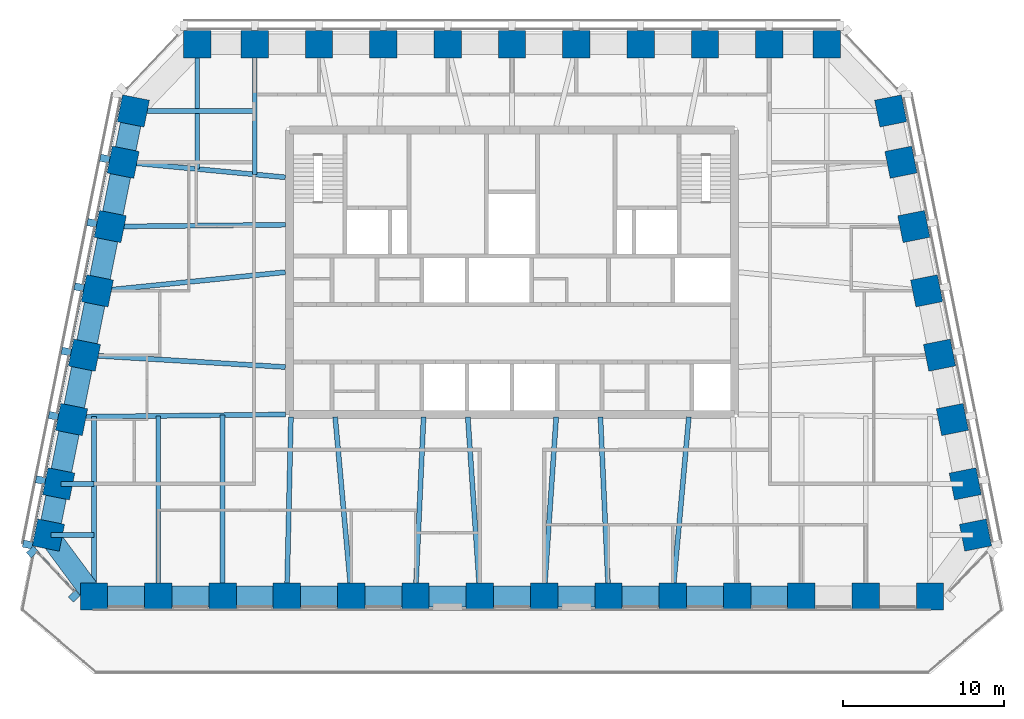
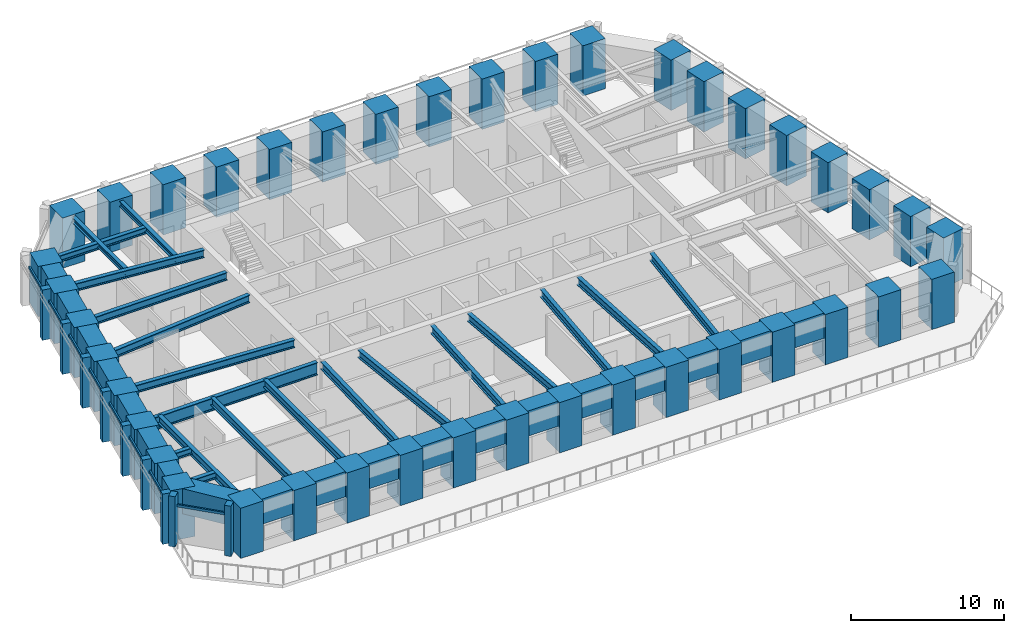
# One storey, part 1 of 11: 41 columns, 39 beams, 17 members, 2 elements without a shape of their own.
"""IFC4 building model written with IfcOpenShell, lengths in metres."""

from ifc_helpers import new_model, si_unit, direction, frame, origin, origin_2d, place, context, subcontext, project, spatial, rectangle, i_section, extrude, material, material_profile, profile_set, type_object, element, aggregate, save


model = new_model("IFC4")

# Units and contexts
model_context = context("Model", 3, precision=1e-05, world=origin(), true_north=direction((0.0, 1.0)))
body_context = subcontext(model_context, "Body", "Model", "MODEL_VIEW")
ifc_project = project(units=[si_unit("LENGTHUNIT", "METRE"), si_unit("AREAUNIT", "SQUARE_METRE"), si_unit("VOLUMEUNIT", "CUBIC_METRE"), si_unit("PLANEANGLEUNIT", "RADIAN"), si_unit("MASSUNIT", "GRAM", prefix="KILO")], contexts=[model_context])

# Site, building, storey
site_placement = place(None, origin())
site = spatial("IfcSite", under=ifc_project, at=site_placement, CompositionType="ELEMENT")
building_placement = place(site_placement, origin())
building = spatial("IfcBuilding", under=site, at=building_placement, Name="Isbrekke Arena Tower", CompositionType="ELEMENT")
storey_placement = place(building_placement, frame((0.0, 0.0, 284.0)))
storey = spatial("IfcBuildingStorey", under=building, at=storey_placement, Name="L66", CompositionType="ELEMENT", Elevation=284.0)

# Columns
ifc_material_1 = material(Name="Concrete B55 (C55/67)", Category="concrete")
ifc_material_profile_1 = material_profile(ifc_material_1, rectangle(XDim=1.699951171875, YDim=1.699951171875, at=origin_2d()), Name="RC 1700x1700")
ifc_profile_set_1 = profile_set([ifc_material_profile_1], Name="Concrete B55 (C55/67)")
column_type = type_object("IfcColumnType", Name="C5 RC 1700 x 1700", PredefinedType="COLUMN", material=ifc_profile_set_1)
for number, where, z_axis, x_axis, name in (
    (1, (-26.0, -5.175048828125, 0.0), (0.0, 0.0, 1.0), (1.0, 0.0, 0.0), "C5 S01"),
    (2, (-22.0, -5.175048828125, 0.0), (0.0, 0.0, 1.0), (1.0, 0.0, 0.0), "C5 S02"),
    (3, (-18.0, -5.175048828125, 0.0), (0.0, 0.0, 1.0), (1.0, 0.0, 0.0), "C5 S03"),
    (4, (-14.0, -5.175048828125, 0.0), (0.0, 0.0, 1.0), (1.0, 0.0, 0.0), "C5 S04"),
    (5, (-10.0, -5.175048828125, 0.0), (0.0, 0.0, 1.0), (1.0, 0.0, 0.0), "C5 S05"),
    (6, (-6.0, -5.175048828125, 0.0), (0.0, 0.0, 1.0), (1.0, 0.0, 0.0), "C5 S06"),
    (7, (-2.0, -5.175048828125, 0.0), (0.0, 0.0, 1.0), (1.0, 0.0, 0.0), "C5 S07"),
    (8, (2.0, -5.175048828125, 0.0), (0.0, 0.0, 1.0), (1.0, 0.0, 0.0), "C5 S08"),
    (9, (6.0, -5.175048828125, 0.0), (0.0, 0.0, 1.0), (1.0, 0.0, 0.0), "C5 S09"),
    (10, (10.0, -5.175048828125, 0.0), (0.0, 0.0, 1.0), (1.0, 0.0, 0.0), "C5 S10"),
    (11, (14.0, -5.175048828125, 0.0), (0.0, 0.0, 1.0), (1.0, 0.0, 0.0), "C5 S11"),
    (12, (18.0, -5.175048828125, 0.0), (0.0, 0.0, 1.0), (1.0, 0.0, 0.0), "C5 S12"),
    (13, (22.0, -5.175048828125, 0.0), (0.0, 0.0, 1.0), (1.0, 0.0, 0.0), "C5 S13"),
    (14, (26.0, -5.175048828125, 0.0), (0.0, 0.0, 1.0), (1.0, 0.0, 0.0), "C5 S14"),
    (15, (28.829345703125, -1.352783203125, 0.0), (0.0, 0.0, 1.0), (-0.196116135138, 0.980580675691, 0.0), "C5 E01"),
    (16, (28.19091796875, 1.838134765625, 0.0), (0.0, 0.0, 1.0), (-0.196116135138, 0.980580675691, 0.0), "C5 E02"),
    (17, (27.39111328125, 5.838134765625, 0.0), (0.0, 0.0, 1.0), (-0.196116135138, 0.980580675691, 0.0), "C5 E03"),
    (18, (26.591064453125, 9.838134765625, 0.0), (0.0, 0.0, 1.0), (-0.196116135138, 0.980580675691, 0.0), "C5 E04"),
    (19, (25.791015625, 13.838134765625, 0.0), (0.0, 0.0, 1.0), (-0.196116135138, 0.980580675691, 0.0), "C5 E05"),
    (20, (24.990966796875, 17.838134765625, 0.0), (0.0, 0.0, 1.0), (-0.196116135138, 0.980580675691, 0.0), "C5 E06"),
    (21, (24.19091796875, 21.838134765625, 0.0), (0.0, 0.0, 1.0), (-0.196116135138, 0.980580675691, 0.0), "C5 E07"),
    (22, (23.552734375, 25.029296875, 0.0), (0.0, 0.0, 1.0), (-0.196116135138, 0.980580675691, 0.0), "C5 E08"),
    (23, (19.574951171875, 29.175048828125, 0.0), (0.0, 0.0, 1.0), (-1.0, 0.0, 0.0), "C5 N01"),
    (24, (16.0, 29.175048828125, 0.0), (0.0, 0.0, 1.0), (-1.0, 0.0, 0.0), "C5 N02"),
    (25, (12.0, 29.175048828125, 0.0), (0.0, 0.0, 1.0), (-1.0, 0.0, 0.0), "C5 N03"),
    (26, (8.0, 29.175048828125, 0.0), (0.0, 0.0, 1.0), (-1.0, 0.0, 0.0), "C5 N04"),
    (27, (4.0, 29.175048828125, 0.0), (0.0, 0.0, 1.0), (-1.0, 0.0, 0.0), "C5 N05"),
    (28, (0.0, 29.175048828125, 0.0), (0.0, 0.0, 1.0), (-1.0, 0.0, 0.0), "C5 N06"),
    (29, (-4.0, 29.175048828125, 0.0), (0.0, 0.0, 1.0), (-1.0, 0.0, 0.0), "C5 N07"),
    (30, (-8.0, 29.175048828125, 0.0), (0.0, 0.0, 1.0), (-1.0, 0.0, 0.0), "C5 N08"),
    (31, (-12.0, 29.175048828125, 0.0), (0.0, 0.0, 1.0), (-1.0, 0.0, 0.0), "C5 N09"),
    (32, (-16.0, 29.175048828125, 0.0), (0.0, 0.0, 1.0), (-1.0, 0.0, 0.0), "C5 N10"),
    (33, (-19.574951171875, 29.175048828125, 0.0), (0.0, 0.0, 1.0), (-1.0, 0.0, 0.0), "C5 N11"),
    (34, (-23.552734375, 25.029296875, 0.0), (0.0, 0.0, 1.0), (-0.196116135138, -0.980580675691, 0.0), "C5 W01"),
    (35, (-24.19091796875, 21.838134765625, 0.0), (0.0, 0.0, 1.0), (-0.196116135138, -0.980580675691, 0.0), "C5 W02"),
    (36, (-24.990966796875, 17.838134765625, 0.0), (0.0, 0.0, 1.0), (-0.196116135138, -0.980580675691, 0.0), "C5 W03"),
    (37, (-25.791015625, 13.838134765625, 0.0), (0.0, 0.0, 1.0), (-0.196116135138, -0.980580675691, 0.0), "C5 W04"),
    (38, (-26.591064453125, 9.838134765625, 0.0), (0.0, 0.0, 1.0), (-0.196116135138, -0.980580675691, 0.0), "C5 W05"),
    (39, (-27.39111328125, 5.838134765625, 0.0), (0.0, 0.0, 1.0), (-0.196116135138, -0.980580675691, 0.0), "C5 W06"),
    (40, (-28.19091796875, 1.838134765625, 0.0), (0.0, 0.0, 1.0), (-0.196116135138, -0.980580675691, 0.0), "C5 W07"),
    (41, (-28.829345703125, -1.352783203125, 0.0), (0.0, 0.0, 1.0), (-0.196116135138, -0.980580675691, 0.0), "C5 W08"),
):
    element("IfcColumn", number, at=place(storey_placement, frame(where, z_axis=z_axis, x_axis=x_axis)), inside=storey, type_object=column_type, Name=name, PredefinedType="COLUMN", context=body_context, shape_type="SweptSolid", body=[
        extrude(rectangle(XDim=1.699951171875, YDim=1.699951171875, at=origin_2d()), origin(), (0.0, 0.0, 1.0), 4.0),
    ])

# Beams
ifc_material_2 = material(Name="Steel S355", Category="steel")
ifc_material_profile_2 = material_profile(ifc_material_2, i_section(OverallWidth=0.304931640625, OverallDepth=0.6201171875, WebThickness=0.02099609375, FlangeThickness=0.0400390625, FilletRadius=0.027099609375, at=origin_2d()), Name="HEM 600")
ifc_profile_set_2 = profile_set([ifc_material_profile_2], Name="Steel S355")
beam_type_1 = type_object("IfcBeamType", Name="B4 HEM 600", PredefinedType="BEAM", material=ifc_profile_set_2)
beam_1_placement = place(storey_placement, frame((-26.0, -5.02490234375, 3.5400390625), z_axis=(0.0, 1.0, 0.0), x_axis=(-1.0, 0.0, 0.0)))
element("IfcBeam", 42, at=beam_1_placement, inside=storey, type_object=beam_type_1, Name="B4 beam C-S01 L66", PredefinedType="BEAM", context=body_context, shape_type="SweptSolid", body=[
    extrude(i_section(OverallWidth=0.304931640625, OverallDepth=0.6201171875, WebThickness=0.02099609375, FlangeThickness=0.0400390625, FilletRadius=0.027099609375, at=origin_2d()), origin(), (0.0, 0.0, 1.0), 11.04052734375),
])
beam_2_placement = place(storey_placement, frame((-22.0, -5.02490234375, 3.5400390625), z_axis=(0.0, 1.0, 0.0), x_axis=(-1.0, 0.0, 0.0)))
element("IfcBeam", 43, at=beam_2_placement, inside=storey, type_object=beam_type_1, Name="B4 beam C-S02 L66", PredefinedType="BEAM", context=body_context, shape_type="SweptSolid", body=[
    extrude(i_section(OverallWidth=0.304931640625, OverallDepth=0.6201171875, WebThickness=0.02099609375, FlangeThickness=0.0400390625, FilletRadius=0.027099609375, at=origin_2d()), origin(), (0.0, 0.0, 1.0), 11.085693359375),
])
beam_3_placement = place(storey_placement, frame((-18.0, -5.02490234375, 3.5400390625), z_axis=(0.0, 1.0, 0.0), x_axis=(-1.0, 0.0, 0.0)))
element("IfcBeam", 44, at=beam_3_placement, inside=storey, type_object=beam_type_1, Name="B4 beam C-S03 L66", PredefinedType="BEAM", context=body_context, shape_type="SweptSolid", body=[
    extrude(i_section(OverallWidth=0.304931640625, OverallDepth=0.6201171875, WebThickness=0.02099609375, FlangeThickness=0.0400390625, FilletRadius=0.027099609375, at=origin_2d()), origin(), (0.0, 0.0, 1.0), 11.130859375),
])
beam_4_placement = place(storey_placement, frame((-14.0, -5.021484375, 3.5400390625), z_axis=(0.022677136914, 0.999742840665, 0.0), x_axis=(-0.999742840665, 0.022677136914, 0.0)))
element("IfcBeam", 45, at=beam_4_placement, inside=storey, type_object=beam_type_1, Name="B4 beam C-S04 L66", PredefinedType="BEAM", context=body_context, shape_type="SweptSolid", body=[
    extrude(i_section(OverallWidth=0.304931640625, OverallDepth=0.6201171875, WebThickness=0.02099609375, FlangeThickness=0.0400390625, FilletRadius=0.027099609375, at=origin_2d()), origin(), (0.0, 0.0, 1.0), 11.0244140625),
])
beam_5_placement = place(storey_placement, frame((-10.001220703125, -5.01123046875, 3.5400390625), z_axis=(-0.090334659435, 0.9959114666, 0.0), x_axis=(-0.9959114666, -0.090334659435, 0.0)))
element("IfcBeam", 46, at=beam_5_placement, inside=storey, type_object=beam_type_1, Name="B4 beam C-S05 L66", PredefinedType="BEAM", context=body_context, shape_type="SweptSolid", body=[
    extrude(i_section(OverallWidth=0.304931640625, OverallDepth=0.6201171875, WebThickness=0.02099609375, FlangeThickness=0.0400390625, FilletRadius=0.027099609375, at=origin_2d()), origin(), (0.0, 0.0, 1.0), 11.056396484375),
])
beam_6_placement = place(storey_placement, frame((-5.999755859375, -5.01806640625, 3.5400390625), z_axis=(0.045311268804, 0.99897291701, 0.0), x_axis=(-0.99897291701, 0.045311268804, 0.0)))
element("IfcBeam", 47, at=beam_6_placement, inside=storey, type_object=beam_type_1, Name="B4 beam C-S06 L66", PredefinedType="BEAM", context=body_context, shape_type="SweptSolid", body=[
    extrude(i_section(OverallWidth=0.304931640625, OverallDepth=0.6201171875, WebThickness=0.02099609375, FlangeThickness=0.0400390625, FilletRadius=0.027099609375, at=origin_2d()), origin(), (0.0, 0.0, 1.0), 11.029296875),
])
for number, where, z_axis, x_axis, name in (
    (48, (-2.000732421875, -5.0146484375, 3.5400390625), (-0.067867804674, 0.99769432247, 0.0), (-0.99769432247, -0.067867804674, 0.0), "B4 beam C-S07 L66"),
    (49, (2.000732421875, -5.0146484375, 3.5400390625), (0.067867804674, 0.99769432247, 0.0), (-0.99769432247, 0.067867804674, 0.0), "B4 beam C-S08 L66"),
):
    element("IfcBeam", number, at=place(storey_placement, frame(where, z_axis=z_axis, x_axis=x_axis)), inside=storey, type_object=beam_type_1, Name=name, PredefinedType="BEAM", context=body_context, shape_type="SweptSolid", body=[
        extrude(i_section(OverallWidth=0.304931640625, OverallDepth=0.6201171875, WebThickness=0.02099609375, FlangeThickness=0.0400390625, FilletRadius=0.027099609375, at=origin_2d()), origin(), (0.0, 0.0, 1.0), 11.0400390625),
    ])
beam_7_placement = place(storey_placement, frame((5.999755859375, -5.01806640625, 3.5400390625), z_axis=(-0.045311268804, 0.99897291701, 0.0), x_axis=(-0.99897291701, -0.045311268804, 0.0)))
element("IfcBeam", 50, at=beam_7_placement, inside=storey, type_object=beam_type_1, Name="B4 beam C-S09 L66", PredefinedType="BEAM", context=body_context, shape_type="SweptSolid", body=[
    extrude(i_section(OverallWidth=0.304931640625, OverallDepth=0.6201171875, WebThickness=0.02099609375, FlangeThickness=0.0400390625, FilletRadius=0.027099609375, at=origin_2d()), origin(), (0.0, 0.0, 1.0), 11.029296875),
])
beam_8_placement = place(storey_placement, frame((10.001220703125, -5.01123046875, 3.5400390625), z_axis=(0.090334659435, 0.9959114666, 0.0), x_axis=(-0.9959114666, 0.090334659435, 0.0)))
element("IfcBeam", 51, at=beam_8_placement, inside=storey, type_object=beam_type_1, Name="B4 beam C-S10 L66", PredefinedType="BEAM", context=body_context, shape_type="SweptSolid", body=[
    extrude(i_section(OverallWidth=0.304931640625, OverallDepth=0.6201171875, WebThickness=0.02099609375, FlangeThickness=0.0400390625, FilletRadius=0.027099609375, at=origin_2d()), origin(), (0.0, 0.0, 1.0), 11.056396484375),
])
beam_9_placement = place(storey_placement, frame((-24.02685546875, 21.8369140625, 3.5400390625), z_axis=(0.995574576627, -0.093974796485, 0.0), x_axis=(0.093974796485, 0.995574576627, 0.0)))
element("IfcBeam", 52, at=beam_9_placement, inside=storey, type_object=beam_type_1, Name="B4 beam E-W02 L66", PredefinedType="BEAM", context=body_context, shape_type="SweptSolid", body=[
    extrude(i_section(OverallWidth=0.304931640625, OverallDepth=0.6201171875, WebThickness=0.02099609375, FlangeThickness=0.0400390625, FilletRadius=0.027099609375, at=origin_2d()), origin(), (0.0, 0.0, 1.0), 9.970947265625),
])
beam_10_placement = place(storey_placement, frame((-24.83935546875, 17.838134765625, 3.5400390625), z_axis=(0.999945800258, 0.010411366203, 0.0), x_axis=(-0.010411366203, 0.999945800258, 0.0)))
element("IfcBeam", 53, at=beam_10_placement, inside=storey, type_object=beam_type_1, Name="B4 beam E-W03 L66", PredefinedType="BEAM", context=body_context, shape_type="SweptSolid", body=[
    extrude(i_section(OverallWidth=0.304931640625, OverallDepth=0.6201171875, WebThickness=0.02099609375, FlangeThickness=0.0400390625, FilletRadius=0.027099609375, at=origin_2d()), origin(), (0.0, 0.0, 1.0), 10.73974609375),
])
beam_11_placement = place(storey_placement, frame((-25.625732421875, 13.83984375, 3.5400390625), z_axis=(0.994972081505, 0.100152668587, 0.0), x_axis=(-0.100152668587, 0.994972081505, 0.0)))
element("IfcBeam", 54, at=beam_11_placement, inside=storey, type_object=beam_type_1, Name="B4 beam E-W04 L66", PredefinedType="BEAM", context=body_context, shape_type="SweptSolid", body=[
    extrude(i_section(OverallWidth=0.304931640625, OverallDepth=0.6201171875, WebThickness=0.02099609375, FlangeThickness=0.0400390625, FilletRadius=0.027099609375, at=origin_2d()), origin(), (0.0, 0.0, 1.0), 11.583984375),
])
beam_12_placement = place(storey_placement, frame((-26.431884765625, 9.837646484375, 3.5400390625), z_axis=(0.998216240514, -0.059702070095, 0.0), x_axis=(0.059702070095, 0.998216240514, 0.0)))
element("IfcBeam", 55, at=beam_12_placement, inside=storey, type_object=beam_type_1, Name="B4 beam E-W05 L66", PredefinedType="BEAM", context=body_context, shape_type="SweptSolid", body=[
    extrude(i_section(OverallWidth=0.304931640625, OverallDepth=0.6201171875, WebThickness=0.02099609375, FlangeThickness=0.0400390625, FilletRadius=0.027099609375, at=origin_2d()), origin(), (0.0, 0.0, 1.0), 12.353759765625),
])
ifc_material_3 = material(Name="Steel S355", Category="steel")
ifc_material_profile_3 = material_profile(ifc_material_3, i_section(OverallWidth=0.305908203125, OverallDepth=0.52392578125, WebThickness=0.02099609375, FlangeThickness=0.0400390625, FilletRadius=0.027099609375, at=origin_2d()), Name="HEM 500")
ifc_profile_set_3 = profile_set([ifc_material_profile_3], Name="Steel S355")
beam_type_2 = type_object("IfcBeamType", Name="B5 HEM 500", PredefinedType="BEAM", material=ifc_profile_set_3)
beam_13_placement = place(storey_placement, frame((-28.041015625, 1.838134765625, 3.587890625), z_axis=(1.0, 0.0, 0.0), x_axis=(0.0, 1.0, 0.0)))
element("IfcBeam", 56, at=beam_13_placement, inside=storey, type_object=beam_type_2, Name="B5 beam E-W07 L66", PredefinedType="BEAM", context=body_context, shape_type="SweptSolid", body=[
    extrude(i_section(OverallWidth=0.305908203125, OverallDepth=0.52392578125, WebThickness=0.02099609375, FlangeThickness=0.0400390625, FilletRadius=0.027099609375, at=origin_2d()), origin(), (0.0, 0.0, 1.0), 2.041015625),
])
beam_14_placement = place(storey_placement, frame((-28.67919921875, -1.352783203125, 3.587890625), z_axis=(1.0, 0.0, 0.0), x_axis=(0.0, 1.0, 0.0)))
element("IfcBeam", 57, at=beam_14_placement, inside=storey, type_object=beam_type_2, Name="B5 beam E-W08 L66", PredefinedType="BEAM", context=body_context, shape_type="SweptSolid", body=[
    extrude(i_section(OverallWidth=0.305908203125, OverallDepth=0.52392578125, WebThickness=0.02099609375, FlangeThickness=0.0400390625, FilletRadius=0.027099609375, at=origin_2d()), origin(), (0.0, 0.0, 1.0), 2.67919921875),
])
beam_15_placement = place(storey_placement, frame((-23.40283203125, 25.029296875, 3.587890625), z_axis=(1.0, 0.0, 0.0), x_axis=(0.0, 1.0, 0.0)))
element("IfcBeam", 58, at=beam_15_placement, inside=storey, type_object=beam_type_2, Name="B5 beam E-W01 L66", PredefinedType="BEAM", context=body_context, shape_type="SweptSolid", body=[
    extrude(i_section(OverallWidth=0.305908203125, OverallDepth=0.52392578125, WebThickness=0.02099609375, FlangeThickness=0.0400390625, FilletRadius=0.027099609375, at=origin_2d()), origin(), (0.0, 0.0, 1.0), 7.40283203125),
])
ifc_material_4 = material(Name="Steel S355", Category="steel")
ifc_material_profile_4 = material_profile(ifc_material_4, i_section(OverallWidth=0.306884765625, OverallDepth=0.431884765625, WebThickness=0.02099609375, FlangeThickness=0.0400390625, FilletRadius=0.027099609375, at=origin_2d()), Name="HEM 400")
ifc_profile_set_4 = profile_set([ifc_material_profile_4], Name="Steel S355")
beam_type_3 = type_object("IfcBeamType", Name="B6 HEM 400", PredefinedType="BEAM", material=ifc_profile_set_4)
beam_16_placement = place(storey_placement, frame((-16.0, 29.02490234375, 3.634033203125), z_axis=(0.0, -1.0, 0.0), x_axis=(1.0, 0.0, 0.0)))
element("IfcBeam", 59, at=beam_16_placement, inside=storey, type_object=beam_type_3, Name="B6 beam N-N10 L66", PredefinedType="BEAM", context=body_context, shape_type="SweptSolid", body=[
    extrude(i_section(OverallWidth=0.306884765625, OverallDepth=0.431884765625, WebThickness=0.02099609375, FlangeThickness=0.0400390625, FilletRadius=0.027099609375, at=origin_2d()), origin(), (0.0, 0.0, 1.0), 7.945556640625),
])
beam_17_placement = place(storey_placement, frame((-19.574951171875, 29.02490234375, 3.634033203125), z_axis=(0.0, -1.0, 0.0), x_axis=(1.0, 0.0, 0.0)))
element("IfcBeam", 60, at=beam_17_placement, inside=storey, type_object=beam_type_3, Name="B6 beam N-N11 L66", PredefinedType="BEAM", context=body_context, shape_type="SweptSolid", body=[
    extrude(i_section(OverallWidth=0.306884765625, OverallDepth=0.431884765625, WebThickness=0.02099609375, FlangeThickness=0.0400390625, FilletRadius=0.027099609375, at=origin_2d()), origin(), (0.0, 0.0, 1.0), 7.608154296875),
])

# Curtain wall, members
ifc_material_5 = material(Name="Glazed aluminium curtain wall", Category="aluminium")
curtain_wall_type = type_object("IfcCurtainWallType", Name="CWT TOWER CURTAIN WALL TOP ZONE", PredefinedType="USERDEFINED", material=ifc_material_5)
curtain_wall_1_placement = place(storey_placement, origin())
curtain_wall_1 = element("IfcCurtainWall", 61, at=curtain_wall_1_placement, inside=storey, type_object=curtain_wall_type, Name="CWT curtain wall L66-W", ObjectType="TOWER CURTAIN WALL TOP ZONE", PredefinedType="USERDEFINED")
ifc_material_6 = material(Name="Copper-clad aluminium mullion", Category="aluminium")
ifc_material_profile_5 = material_profile(ifc_material_6, rectangle(XDim=0.449951171875, YDim=0.60009765625, at=origin_2d()), Name="PIER 450X600")
ifc_profile_set_5 = profile_set([ifc_material_profile_5], Name="Copper-clad aluminium mullion")
member_type_1 = type_object("IfcMemberType", Name="CWT-M PIER MULLION 450 x 600", PredefinedType="MULLION", material=ifc_profile_set_5)
member_1_placement = place(storey_placement, frame((-25.318603515625, 22.063720703125, 0.0), z_axis=(0.0, 0.0, 1.0), x_axis=(-0.196116135138, -0.980580675691, 0.0)))
member_1 = element("IfcMember", 62, at=member_1_placement, type_object=member_type_1, Name="CWT-M mullion 2", PredefinedType="MULLION", context=body_context, shape_type="SweptSolid", body=[
    extrude(rectangle(XDim=0.449951171875, YDim=0.60009765625, at=origin_2d()), origin(), (0.0, 0.0, 1.0), 4.0),
])
member_2_placement = place(storey_placement, frame((-26.11865234375, 18.063720703125, 0.0), z_axis=(0.0, 0.0, 1.0), x_axis=(-0.196116135138, -0.980580675691, 0.0)))
member_2 = element("IfcMember", 63, at=member_2_placement, type_object=member_type_1, Name="CWT-M mullion 3", PredefinedType="MULLION", context=body_context, shape_type="SweptSolid", body=[
    extrude(rectangle(XDim=0.449951171875, YDim=0.60009765625, at=origin_2d()), origin(), (0.0, 0.0, 1.0), 4.0),
])
member_3_placement = place(storey_placement, frame((-26.918701171875, 14.063720703125, 0.0), z_axis=(0.0, 0.0, 1.0), x_axis=(-0.196116135138, -0.980580675691, 0.0)))
member_3 = element("IfcMember", 64, at=member_3_placement, type_object=member_type_1, Name="CWT-M mullion 4", PredefinedType="MULLION", context=body_context, shape_type="SweptSolid", body=[
    extrude(rectangle(XDim=0.449951171875, YDim=0.60009765625, at=origin_2d()), origin(), (0.0, 0.0, 1.0), 4.0),
])
member_4_placement = place(storey_placement, frame((-27.71875, 10.063720703125, 0.0), z_axis=(0.0, 0.0, 1.0), x_axis=(-0.196116135138, -0.980580675691, 0.0)))
member_4 = element("IfcMember", 65, at=member_4_placement, type_object=member_type_1, Name="CWT-M mullion 5", PredefinedType="MULLION", context=body_context, shape_type="SweptSolid", body=[
    extrude(rectangle(XDim=0.449951171875, YDim=0.60009765625, at=origin_2d()), origin(), (0.0, 0.0, 1.0), 4.0),
])
member_5_placement = place(storey_placement, frame((-28.518798828125, 6.063720703125, 0.0), z_axis=(0.0, 0.0, 1.0), x_axis=(-0.196116135138, -0.980580675691, 0.0)))
member_5 = element("IfcMember", 66, at=member_5_placement, type_object=member_type_1, Name="CWT-M mullion 6", PredefinedType="MULLION", context=body_context, shape_type="SweptSolid", body=[
    extrude(rectangle(XDim=0.449951171875, YDim=0.60009765625, at=origin_2d()), origin(), (0.0, 0.0, 1.0), 4.0),
])
member_6_placement = place(storey_placement, frame((-29.318603515625, 2.063720703125, 0.0), z_axis=(0.0, 0.0, 1.0), x_axis=(-0.196116135138, -0.980580675691, 0.0)))
member_6 = element("IfcMember", 67, at=member_6_placement, type_object=member_type_1, Name="CWT-M mullion 7", PredefinedType="MULLION", context=body_context, shape_type="SweptSolid", body=[
    extrude(rectangle(XDim=0.449951171875, YDim=0.60009765625, at=origin_2d()), origin(), (0.0, 0.0, 1.0), 4.0),
])
member_7_placement = place(storey_placement, frame((-30.11865234375, -1.936279296875, 0.0), z_axis=(0.0, 0.0, 1.0), x_axis=(-0.196116135138, -0.980580675691, 0.0)))
member_7 = element("IfcMember", 68, at=member_7_placement, type_object=member_type_1, Name="CWT-M mullion 8", PredefinedType="MULLION", context=body_context, shape_type="SweptSolid", body=[
    extrude(rectangle(XDim=0.449951171875, YDim=0.60009765625, at=origin_2d()), origin(), (0.0, 0.0, 1.0), 4.0),
])

curtain_wall_2_placement = place(storey_placement, origin())
curtain_wall_2 = element("IfcCurtainWall", 69, at=curtain_wall_2_placement, inside=storey, type_object=curtain_wall_type, Name="CWT curtain wall L66-WS", ObjectType="TOWER CURTAIN WALL TOP ZONE", PredefinedType="USERDEFINED")
member_8_placement = place(storey_placement, frame((-29.835205078125, -2.398681640625, 0.0), z_axis=(0.0, 0.0, 1.0), x_axis=(0.68874946192, -0.72499943359, 0.0)))
member_8 = element("IfcMember", 70, at=member_8_placement, type_object=member_type_1, Name="CWT-M mullion 1", PredefinedType="MULLION", context=body_context, shape_type="SweptSolid", body=[
    extrude(rectangle(XDim=0.449951171875, YDim=0.60009765625, at=origin_2d()), origin(), (0.0, 0.0, 1.0), 4.0),
])
member_9_placement = place(storey_placement, frame((-27.219970703125, -5.1513671875, 0.0), z_axis=(0.0, 0.0, 1.0), x_axis=(0.68874946192, -0.72499943359, 0.0)))
member_9 = element("IfcMember", 71, at=member_9_placement, type_object=member_type_1, Name="CWT-M mullion 2", PredefinedType="MULLION", context=body_context, shape_type="SweptSolid", body=[
    extrude(rectangle(XDim=0.449951171875, YDim=0.60009765625, at=origin_2d()), origin(), (0.0, 0.0, 1.0), 4.0),
])

# Member
ifc_material_7 = material(Name="Aluminium transom", Category="aluminium")
ifc_material_profile_6 = material_profile(ifc_material_7, rectangle(XDim=0.1201171875, YDim=0.199951171875, at=origin_2d()), Name="TRANSOM 120X200")
ifc_profile_set_6 = profile_set([ifc_material_profile_6], Name="Aluminium transom")
member_type_2 = type_object("IfcMemberType", Name="CWT-T TRANSOM 120 x 200", PredefinedType="USERDEFINED", material=ifc_profile_set_6)
member_10_placement = place(storey_placement, frame((-24.36669921875, 25.803955078125, 3.0), z_axis=(-0.196090262229, -0.980585849918, 0.0), x_axis=(0.980585849918, -0.196090262229, 0.0)))
member_10 = element("IfcMember", 72, at=member_10_placement, type_object=member_type_2, Name="CWT-T transom 1", ObjectType="TRANSOM", PredefinedType="USERDEFINED", context=body_context, shape_type="SweptSolid", body=[
    extrude(rectangle(XDim=0.1201171875, YDim=0.199951171875, at=origin_2d()), origin(), (0.0, 0.0, 1.0), 3.62939453125),
])

member_11_placement = place(storey_placement, frame((-25.166748046875, 21.803955078125, 3.0), z_axis=(-0.196090262229, -0.980585849918, 0.0), x_axis=(0.980585849918, -0.196090262229, 0.0)))
member_11 = element("IfcMember", 73, at=member_11_placement, type_object=member_type_2, Name="CWT-T transom 2", ObjectType="TRANSOM", PredefinedType="USERDEFINED", context=body_context, shape_type="SweptSolid", body=[
    extrude(rectangle(XDim=0.1201171875, YDim=0.199951171875, at=origin_2d()), origin(), (0.0, 0.0, 1.0), 3.62939453125),
])

member_12_placement = place(storey_placement, frame((-25.966796875, 17.803955078125, 3.0), z_axis=(-0.196090262229, -0.980585849918, 0.0), x_axis=(0.980585849918, -0.196090262229, 0.0)))
member_12 = element("IfcMember", 74, at=member_12_placement, type_object=member_type_2, Name="CWT-T transom 3", ObjectType="TRANSOM", PredefinedType="USERDEFINED", context=body_context, shape_type="SweptSolid", body=[
    extrude(rectangle(XDim=0.1201171875, YDim=0.199951171875, at=origin_2d()), origin(), (0.0, 0.0, 1.0), 3.62939453125),
])

member_13_placement = place(storey_placement, frame((-26.7666015625, 13.803955078125, 3.0), z_axis=(-0.196154943734, -0.980572913173, 0.0), x_axis=(0.980572913173, -0.196154943734, 0.0)))
member_13 = element("IfcMember", 75, at=member_13_placement, type_object=member_type_2, Name="CWT-T transom 4", ObjectType="TRANSOM", PredefinedType="USERDEFINED", context=body_context, shape_type="SweptSolid", body=[
    extrude(rectangle(XDim=0.1201171875, YDim=0.199951171875, at=origin_2d()), origin(), (0.0, 0.0, 1.0), 3.62939453125),
])

member_14_placement = place(storey_placement, frame((-27.566650390625, 9.803955078125, 3.0), z_axis=(-0.196154943734, -0.980572913173, 0.0), x_axis=(0.980572913173, -0.196154943734, 0.0)))
member_14 = element("IfcMember", 76, at=member_14_placement, type_object=member_type_2, Name="CWT-T transom 5", ObjectType="TRANSOM", PredefinedType="USERDEFINED", context=body_context, shape_type="SweptSolid", body=[
    extrude(rectangle(XDim=0.1201171875, YDim=0.199951171875, at=origin_2d()), origin(), (0.0, 0.0, 1.0), 3.62939453125),
])

member_15_placement = place(storey_placement, frame((-28.36669921875, 5.803955078125, 3.0), z_axis=(-0.196090262229, -0.980585849918, 0.0), x_axis=(0.980585849918, -0.196090262229, 0.0)))
member_15 = element("IfcMember", 77, at=member_15_placement, type_object=member_type_2, Name="CWT-T transom 6", ObjectType="TRANSOM", PredefinedType="USERDEFINED", context=body_context, shape_type="SweptSolid", body=[
    extrude(rectangle(XDim=0.1201171875, YDim=0.199951171875, at=origin_2d()), origin(), (0.0, 0.0, 1.0), 3.62939453125),
])

member_16_placement = place(storey_placement, frame((-29.166748046875, 1.803955078125, 3.0), z_axis=(-0.196090262229, -0.980585849918, 0.0), x_axis=(0.980585849918, -0.196090262229, 0.0)))
member_16 = element("IfcMember", 78, at=member_16_placement, type_object=member_type_2, Name="CWT-T transom 7", ObjectType="TRANSOM", PredefinedType="USERDEFINED", context=body_context, shape_type="SweptSolid", body=[
    extrude(rectangle(XDim=0.1201171875, YDim=0.199951171875, at=origin_2d()), origin(), (0.0, 0.0, 1.0), 3.62939453125),
])

aggregate(curtain_wall_1, [member_1, member_2, member_3, member_4, member_5, member_6, member_7, member_10, member_11, member_12, member_13, member_14, member_15, member_16])

member_17_placement = place(storey_placement, frame((-29.53515625, -2.424072265625, 3.0), z_axis=(0.688783970492, -0.724966648883, 0.0), x_axis=(0.724966648883, 0.688783970492, 0.0)))
member_17 = element("IfcMember", 79, at=member_17_placement, type_object=member_type_2, Name="CWT-T transom 1", ObjectType="TRANSOM", PredefinedType="USERDEFINED", context=body_context, shape_type="SweptSolid", body=[
    extrude(rectangle(XDim=0.1201171875, YDim=0.199951171875, at=origin_2d()), origin(), (0.0, 0.0, 1.0), 3.3466796875),
])

aggregate(curtain_wall_2, [member_8, member_9, member_17])

# Beams
ifc_material_8 = material(Name="Steel S355", Category="steel")
ifc_material_profile_7 = material_profile(ifc_material_8, i_section(OverallWidth=0.302001953125, OverallDepth=1.008056640625, WebThickness=0.02099609375, FlangeThickness=0.0400390625, FilletRadius=0.030029296875, at=origin_2d()), Name="HEM 1000")
ifc_profile_set_7 = profile_set([ifc_material_profile_7], Name="Steel S355")
beam_type_4 = type_object("IfcBeamType", Name="G2 HEM 1000", PredefinedType="BEAM", material=ifc_profile_set_7)
beam_18_placement = place(storey_placement, frame((-14.10009765625, 6.14990234375, 3.345947265625), z_axis=(-0.999936387749, -0.011279204565, 0.0), x_axis=(0.011279204565, -0.999936387749, 0.0)))
element("IfcBeam", 80, at=beam_18_placement, inside=storey, type_object=beam_type_4, Name="G2 beam G2-W L66", PredefinedType="BEAM", context=body_context, shape_type="SweptSolid", body=[
    extrude(i_section(OverallWidth=0.302001953125, OverallDepth=1.008056640625, WebThickness=0.02099609375, FlangeThickness=0.0400390625, FilletRadius=0.030029296875, at=origin_2d()), origin(), (0.0, 0.0, 1.0), 13.2900390625),
])
ifc_material_9 = material(Name="Concrete B55 (C55/67)", Category="concrete")
ifc_material_profile_8 = material_profile(ifc_material_9, rectangle(XDim=1.300048828125, YDim=2.0, at=origin_2d()), Name="RC 1300x2000")
ifc_profile_set_8 = profile_set([ifc_material_profile_8], Name="Concrete B55 (C55/67)")
beam_type_5 = type_object("IfcBeamType", Name="SB4 RC 1300 x 2000", PredefinedType="SPANDREL", material=ifc_profile_set_8)
for number, where, z_axis, x_axis, name in (
    (81, (-25.85009765625, -5.175048828125, 3.0), (1.0, 0.0, 0.0), (0.0, 1.0, 0.0), "SB4 spandrel S01-S02 L66"),
    (82, (-21.85009765625, -5.175048828125, 3.0), (1.0, 0.0, 0.0), (0.0, 1.0, 0.0), "SB4 spandrel S02-S03 L66"),
    (83, (-17.85009765625, -5.175048828125, 3.0), (1.0, 0.0, 0.0), (0.0, 1.0, 0.0), "SB4 spandrel S03-S04 L66"),
    (84, (-13.85009765625, -5.175048828125, 3.0), (1.0, 0.0, 0.0), (0.0, 1.0, 0.0), "SB4 spandrel S04-S05 L66"),
    (85, (-9.85009765625, -5.175048828125, 3.0), (1.0, 0.0, 0.0), (0.0, 1.0, 0.0), "SB4 spandrel S05-S06 L66"),
    (86, (-5.85009765625, -5.175048828125, 3.0), (1.0, 0.0, 0.0), (0.0, 1.0, 0.0), "SB4 spandrel S06-S07 L66"),
    (87, (-1.85009765625, -5.175048828125, 3.0), (1.0, 0.0, 0.0), (0.0, 1.0, 0.0), "SB4 spandrel S07-S08 L66"),
    (88, (2.14990234375, -5.175048828125, 3.0), (1.0, 0.0, 0.0), (0.0, 1.0, 0.0), "SB4 spandrel S08-S09 L66"),
    (89, (6.14990234375, -5.175048828125, 3.0), (1.0, 0.0, 0.0), (0.0, 1.0, 0.0), "SB4 spandrel S09-S10 L66"),
    (90, (10.14990234375, -5.175048828125, 3.0), (1.0, 0.0, 0.0), (0.0, 1.0, 0.0), "SB4 spandrel S10-S11 L66"),
    (91, (14.14990234375, -5.175048828125, 3.0), (1.0, 0.0, 0.0), (0.0, 1.0, 0.0), "SB4 spandrel S11-S12 L66"),
):
    element("IfcBeam", number, at=place(storey_placement, frame(where, z_axis=z_axis, x_axis=x_axis)), inside=storey, type_object=beam_type_5, Name=name, PredefinedType="SPANDREL", context=body_context, shape_type="SweptSolid", body=[
        extrude(rectangle(XDim=1.300048828125, YDim=2.0, at=origin_2d()), origin(), (0.0, 0.0, 1.0), 3.7001953125),
    ])
beam_19_placement = place(storey_placement, frame((-23.582275390625, 24.882080078125, 3.0), z_axis=(-0.196116135138, -0.980580675691, 0.0), x_axis=(0.980580675691, -0.196116135138, 0.0)))
element("IfcBeam", 92, at=beam_19_placement, inside=storey, type_object=beam_type_5, Name="SB4 spandrel W01-W02 L66", PredefinedType="SPANDREL", context=body_context, shape_type="SweptSolid", body=[
    extrude(rectangle(XDim=1.300048828125, YDim=2.0, at=origin_2d()), origin(), (0.0, 0.0, 1.0), 2.9541015625),
])
for number, where, z_axis, x_axis, name in (
    (93, (-24.220458984375, 21.691162109375, 3.0), (-0.196128558387, -0.980578190959, 0.0), (0.980578190959, -0.196128558387, 0.0), "SB4 spandrel W02-W03 L66"),
    (94, (-25.0205078125, 17.691162109375, 3.0), (-0.196128558387, -0.980578190959, 0.0), (0.980578190959, -0.196128558387, 0.0), "SB4 spandrel W03-W04 L66"),
):
    element("IfcBeam", number, at=place(storey_placement, frame(where, z_axis=z_axis, x_axis=x_axis)), inside=storey, type_object=beam_type_5, Name=name, PredefinedType="SPANDREL", context=body_context, shape_type="SweptSolid", body=[
        extrude(rectangle(XDim=1.300048828125, YDim=2.0, at=origin_2d()), origin(), (0.0, 0.0, 1.0), 3.779296875),
    ])
beam_20_placement = place(storey_placement, frame((-25.820556640625, 13.691162109375, 3.0), z_axis=(-0.1960664412, -0.980590613169, 0.0), x_axis=(0.980590613169, -0.1960664412, 0.0)))
element("IfcBeam", 95, at=beam_20_placement, inside=storey, type_object=beam_type_5, Name="SB4 spandrel W04-W05 L66", PredefinedType="SPANDREL", context=body_context, shape_type="SweptSolid", body=[
    extrude(rectangle(XDim=1.300048828125, YDim=2.0, at=origin_2d()), origin(), (0.0, 0.0, 1.0), 3.779052734375),
])
for number, where, z_axis, x_axis, name in (
    (96, (-26.620361328125, 9.691162109375, 3.0), (-0.196128558387, -0.980578190959, 0.0), (0.980578190959, -0.196128558387, 0.0), "SB4 spandrel W05-W06 L66"),
    (97, (-27.42041015625, 5.691162109375, 3.0), (-0.196128558387, -0.980578190959, 0.0), (0.980578190959, -0.196128558387, 0.0), "SB4 spandrel W06-W07 L66"),
):
    element("IfcBeam", number, at=place(storey_placement, frame(where, z_axis=z_axis, x_axis=x_axis)), inside=storey, type_object=beam_type_5, Name=name, PredefinedType="SPANDREL", context=body_context, shape_type="SweptSolid", body=[
        extrude(rectangle(XDim=1.300048828125, YDim=2.0, at=origin_2d()), origin(), (0.0, 0.0, 1.0), 3.779296875),
    ])
beam_21_placement = place(storey_placement, frame((-28.220458984375, 1.691162109375, 3.0), z_axis=(-0.196100243168, -0.980583853951, 0.0), x_axis=(0.980583853951, -0.196100243168, 0.0)))
element("IfcBeam", 98, at=beam_21_placement, inside=storey, type_object=beam_type_5, Name="SB4 spandrel W07-W08 L66", PredefinedType="SPANDREL", context=body_context, shape_type="SweptSolid", body=[
    extrude(rectangle(XDim=1.300048828125, YDim=2.0, at=origin_2d()), origin(), (0.0, 0.0, 1.0), 2.954345703125),
])
beam_22_placement = place(storey_placement, frame((-28.739990234375, -1.473388671875, 3.0), z_axis=(0.594937895072, -0.803771672185, 0.0), x_axis=(0.803771672185, 0.594937895072, 0.0)))
element("IfcBeam", 99, at=beam_22_placement, inside=storey, type_object=beam_type_5, Name="SB4 spandrel W08-S01 L66", PredefinedType="SPANDREL", context=body_context, shape_type="SweptSolid", body=[
    extrude(rectangle(XDim=1.300048828125, YDim=2.0, at=origin_2d()), origin(), (0.0, 0.0, 1.0), 4.455322265625),
])

save(model, "model.ifc")
